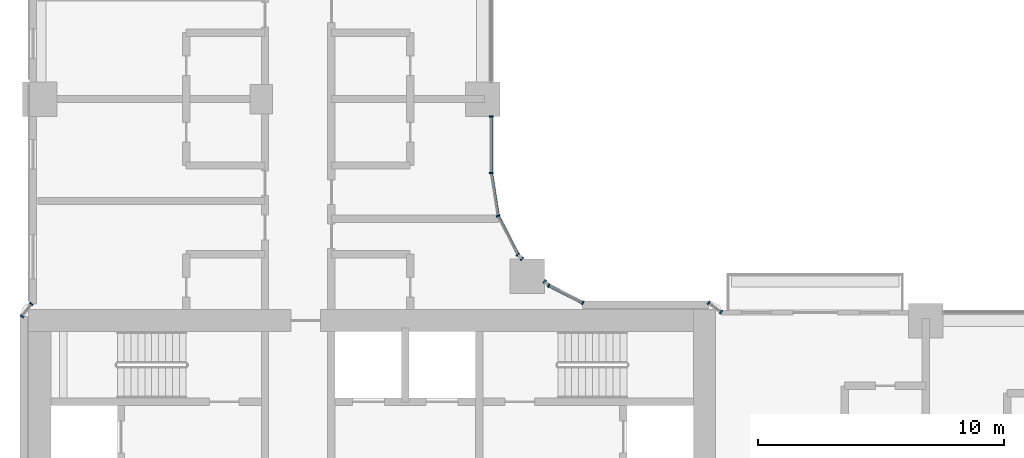
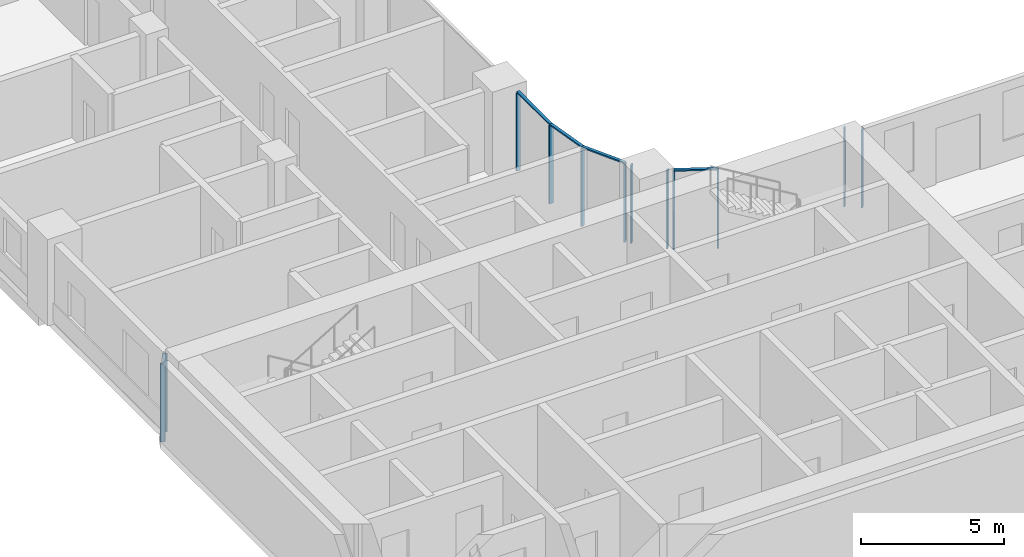
# One storey, part 2 of 30: 16 members, 5 elements without a shape of their own.
"""IFC4 building model written with IfcOpenShell, lengths in metres."""

from ifc_helpers import new_model, si_unit, direction, frame, origin, origin_2d, place, context, subcontext, project, spatial, rectangle, extrude, material, material_profile, profile_set, type_object, element, aggregate, save


model = new_model("IFC4")

# Units and contexts
model_context = context("Model", 3, precision=1e-05, world=origin(), true_north=direction((0.0, 1.0)))
body_context = subcontext(model_context, "Body", "Model", "MODEL_VIEW")
ifc_project = project(units=[si_unit("LENGTHUNIT", "METRE"), si_unit("AREAUNIT", "SQUARE_METRE"), si_unit("VOLUMEUNIT", "CUBIC_METRE"), si_unit("PLANEANGLEUNIT", "RADIAN"), si_unit("MASSUNIT", "GRAM", prefix="KILO")], contexts=[model_context])

# Site, building, storey
site_placement = place(None, origin())
site = spatial("IfcSite", under=ifc_project, at=site_placement, CompositionType="ELEMENT")
building_placement = place(site_placement, origin())
building = spatial("IfcBuilding", under=site, at=building_placement, Name="Ogive Portal Towers", CompositionType="ELEMENT")
storey_placement = place(building_placement, frame((0.0, 0.0, 37.199951171875)))
storey = spatial("IfcBuildingStorey", under=building, at=storey_placement, Name="L07", CompositionType="ELEMENT", Elevation=37.199951171875)

# Curtain wall, members
ifc_material_1 = material(Name="Glass, clear low-iron insulated glazing", Category="glass")
curtain_wall_type = type_object("IfcCurtainWallType", Name="CW FRONT RIBBON 4500", PredefinedType="NOTDEFINED", material=ifc_material_1)
curtain_wall_1_placement = place(storey_placement, origin())
curtain_wall_1 = element("IfcCurtainWall", 1, at=curtain_wall_1_placement, inside=storey, type_object=curtain_wall_type, Name="A:L07:f06:cw0~0", PredefinedType="NOTDEFINED")
ifc_material_2 = material(Name="Aluminium 6063 anodised", Category="aluminium")
ifc_material_profile_1 = material_profile(ifc_material_2, rectangle(XDim=0.159912109375, YDim=0.06005859375, at=origin_2d()), Name="AL 60x160")
ifc_profile_set_1 = profile_set([ifc_material_profile_1], Name="Aluminium 6063 anodised")
member_type_1 = type_object("IfcMemberType", Name="CW MULLION 60x160", PredefinedType="MULLION", material=ifc_profile_set_1)
member_1_placement = place(storey_placement, frame((49.844970703125, 45.49365234375, 0.0), z_axis=(0.0, 0.0, 1.0), x_axis=(-1.0, 0.0, 0.0)))
member_1 = element("IfcMember", 2, at=member_1_placement, type_object=member_type_1, Name="mullion", PredefinedType="MULLION", context=body_context, shape_type="SweptSolid", body=[
    extrude(rectangle(XDim=0.159912109375, YDim=0.06005859375, at=origin_2d()), origin(), (0.0, 0.0, 1.0), 3.340087890625),
])
member_2_placement = place(storey_placement, frame((49.844970703125, 47.800048828125, 0.0), z_axis=(0.0, 0.0, 1.0), x_axis=(-1.0, 0.0, 0.0)))
member_2 = element("IfcMember", 3, at=member_2_placement, type_object=member_type_1, Name="mullion", PredefinedType="MULLION", context=body_context, shape_type="SweptSolid", body=[
    extrude(rectangle(XDim=0.159912109375, YDim=0.06005859375, at=origin_2d()), origin(), (0.0, 0.0, 1.0), 3.340087890625),
])

curtain_wall_2_placement = place(storey_placement, origin())
curtain_wall_2 = element("IfcCurtainWall", 4, at=curtain_wall_2_placement, inside=storey, type_object=curtain_wall_type, Name="A:L07:f00:cwa", PredefinedType="NOTDEFINED")
member_3_placement = place(storey_placement, frame((59.180419921875, 39.844970703125, 0.0), z_axis=(0.0, 0.0, 1.0), x_axis=(-0.594808729844, -0.803867261991, 0.0)))
member_3 = element("IfcMember", 5, at=member_3_placement, type_object=member_type_1, Name="mullion", PredefinedType="MULLION", context=body_context, shape_type="SweptSolid", body=[
    extrude(rectangle(XDim=0.159912109375, YDim=0.06005859375, at=origin_2d()), origin(), (0.0, 0.0, 1.0), 3.340087890625),
])
member_4_placement = place(storey_placement, frame((58.673583984375, 40.219970703125, 0.0), z_axis=(0.0, 0.0, 1.0), x_axis=(-0.594808729844, -0.803867261991, 0.0)))
member_4 = element("IfcMember", 6, at=member_4_placement, type_object=member_type_1, Name="mullion", PredefinedType="MULLION", context=body_context, shape_type="SweptSolid", body=[
    extrude(rectangle(XDim=0.159912109375, YDim=0.06005859375, at=origin_2d()), origin(), (0.0, 0.0, 1.0), 3.340087890625),
])
aggregate(curtain_wall_2, [member_3, member_4])

curtain_wall_3_placement = place(storey_placement, origin())
curtain_wall_3 = element("IfcCurtainWall", 7, at=curtain_wall_3_placement, inside=storey, type_object=curtain_wall_type, Name="A:L07:f02:cwa~0", PredefinedType="NOTDEFINED")
member_5_placement = place(storey_placement, frame((53.5576171875, 40.219970703125, 0.0), z_axis=(0.0, 0.0, 1.0), x_axis=(-0.45399049974, -0.891006524188, 0.0)))
member_5 = element("IfcMember", 8, at=member_5_placement, type_object=member_type_1, Name="mullion", PredefinedType="MULLION", context=body_context, shape_type="SweptSolid", body=[
    extrude(rectangle(XDim=0.159912109375, YDim=0.06005859375, at=origin_2d()), origin(), (0.0, 0.0, 1.0), 3.340087890625),
])
member_6_placement = place(storey_placement, frame((52.175537109375, 40.92431640625, 0.0), z_axis=(0.0, 0.0, 1.0), x_axis=(-0.45399049974, -0.891006524188, 0.0)))
member_6 = element("IfcMember", 9, at=member_6_placement, type_object=member_type_1, Name="mullion", PredefinedType="MULLION", context=body_context, shape_type="SweptSolid", body=[
    extrude(rectangle(XDim=0.159912109375, YDim=0.06005859375, at=origin_2d()), origin(), (0.0, 0.0, 1.0), 3.340087890625),
])
member_7_placement = place(storey_placement, frame((52.010009765625, 41.089599609375, 0.0), z_axis=(0.0, 0.0, 1.0), x_axis=(-0.707106781187, -0.707106781187, 0.0)))
member_7 = element("IfcMember", 10, at=member_7_placement, type_object=member_type_1, Name="mullion", PredefinedType="MULLION", context=body_context, shape_type="SweptSolid", body=[
    extrude(rectangle(XDim=0.159912109375, YDim=0.06005859375, at=origin_2d()), origin(), (0.0, 0.0, 1.0), 3.340087890625),
])

curtain_wall_4_placement = place(storey_placement, origin())
curtain_wall_4 = element("IfcCurtainWall", 11, at=curtain_wall_4_placement, inside=storey, type_object=curtain_wall_type, Name="A:L07:f02:cwa~1", PredefinedType="NOTDEFINED")
member_8_placement = place(storey_placement, frame((51.089599609375, 42.010009765625, 0.0), z_axis=(0.0, 0.0, 1.0), x_axis=(-0.707106781187, -0.707106781187, 0.0)))
member_8 = element("IfcMember", 12, at=member_8_placement, type_object=member_type_1, Name="mullion", PredefinedType="MULLION", context=body_context, shape_type="SweptSolid", body=[
    extrude(rectangle(XDim=0.159912109375, YDim=0.06005859375, at=origin_2d()), origin(), (0.0, 0.0, 1.0), 3.340087890625),
])
member_9_placement = place(storey_placement, frame((50.92431640625, 42.175537109375, 0.0), z_axis=(0.0, 0.0, 1.0), x_axis=(-0.707106781187, -0.707106781187, 0.0)))
member_9 = element("IfcMember", 13, at=member_9_placement, type_object=member_type_1, Name="mullion", PredefinedType="MULLION", context=body_context, shape_type="SweptSolid", body=[
    extrude(rectangle(XDim=0.159912109375, YDim=0.06005859375, at=origin_2d()), origin(), (0.0, 0.0, 1.0), 3.340087890625),
])
member_10_placement = place(storey_placement, frame((50.120849609375, 43.752197265625, 0.0), z_axis=(0.0, 0.0, 1.0), x_axis=(-0.891006524188, -0.45399049974, 0.0)))
member_10 = element("IfcMember", 14, at=member_10_placement, type_object=member_type_1, Name="mullion", PredefinedType="MULLION", context=body_context, shape_type="SweptSolid", body=[
    extrude(rectangle(XDim=0.159912109375, YDim=0.06005859375, at=origin_2d()), origin(), (0.0, 0.0, 1.0), 3.340087890625),
])

curtain_wall_5_placement = place(storey_placement, origin())
curtain_wall_5 = element("IfcCurtainWall", 15, at=curtain_wall_5_placement, inside=storey, type_object=curtain_wall_type, Name="A:L07:f14:cwa", PredefinedType="NOTDEFINED")
member_11_placement = place(storey_placement, frame((31.155029296875, 40.180419921875, 0.0), z_axis=(0.0, 0.0, 1.0), x_axis=(0.803867261991, -0.594808729844, 0.0)))
member_11 = element("IfcMember", 16, at=member_11_placement, type_object=member_type_1, Name="mullion", PredefinedType="MULLION", context=body_context, shape_type="SweptSolid", body=[
    extrude(rectangle(XDim=0.159912109375, YDim=0.06005859375, at=origin_2d()), origin(), (0.0, 0.0, 1.0), 3.340087890625),
])
member_12_placement = place(storey_placement, frame((30.780029296875, 39.673583984375, 0.0), z_axis=(0.0, 0.0, 1.0), x_axis=(0.803867261991, -0.594808729844, 0.0)))
member_12 = element("IfcMember", 17, at=member_12_placement, type_object=member_type_1, Name="mullion", PredefinedType="MULLION", context=body_context, shape_type="SweptSolid", body=[
    extrude(rectangle(XDim=0.159912109375, YDim=0.06005859375, at=origin_2d()), origin(), (0.0, 0.0, 1.0), 3.340087890625),
])
aggregate(curtain_wall_5, [member_11, member_12])

# Member
ifc_material_profile_2 = material_profile(ifc_material_2, rectangle(XDim=0.1201171875, YDim=0.06005859375, at=origin_2d()), Name="AL 120x60")
ifc_profile_set_2 = profile_set([ifc_material_profile_2], Name="Aluminium 6063 anodised")
member_type_2 = type_object("IfcMemberType", Name="CW TRANSOM 60x120", PredefinedType="USERDEFINED", material=ifc_profile_set_2)
member_13_placement = place(storey_placement, frame((49.844970703125, 45.49365234375, 3.3701171875), z_axis=(0.0, 1.0, 0.0), x_axis=(-1.0, 0.0, 0.0)))
member_13 = element("IfcMember", 18, at=member_13_placement, type_object=member_type_2, Name="transom", ObjectType="TRANSOM", PredefinedType="USERDEFINED", context=body_context, shape_type="SweptSolid", body=[
    extrude(rectangle(XDim=0.1201171875, YDim=0.06005859375, at=origin_2d()), origin(), (0.0, 0.0, 1.0), 2.306396484375),
])

aggregate(curtain_wall_1, [member_13, member_1, member_2])

member_14_placement = place(storey_placement, frame((53.5576171875, 40.219970703125, 3.3701171875), z_axis=(-0.89096982311, 0.454062522465, 0.0), x_axis=(-0.454062522465, -0.89096982311, 0.0)))
member_14 = element("IfcMember", 19, at=member_14_placement, type_object=member_type_2, Name="transom", ObjectType="TRANSOM", PredefinedType="USERDEFINED", context=body_context, shape_type="SweptSolid", body=[
    extrude(rectangle(XDim=0.1201171875, YDim=0.06005859375, at=origin_2d()), origin(), (0.0, 0.0, 1.0), 1.55126953125),
])

aggregate(curtain_wall_3, [member_14, member_5, member_6, member_7])

member_15_placement = place(storey_placement, frame((50.92431640625, 42.175537109375, 3.3701171875), z_axis=(-0.454043582135, 0.890979475365, 0.0), x_axis=(-0.890979475365, -0.454043582135, 0.0)))
member_15 = element("IfcMember", 20, at=member_15_placement, type_object=member_type_2, Name="transom", ObjectType="TRANSOM", PredefinedType="USERDEFINED", context=body_context, shape_type="SweptSolid", body=[
    extrude(rectangle(XDim=0.1201171875, YDim=0.06005859375, at=origin_2d()), origin(), (0.0, 0.0, 1.0), 1.76953125),
])

member_16_placement = place(storey_placement, frame((50.120849609375, 43.752197265625, 3.3701171875), z_axis=(-0.156467395285, 0.987683124394, 0.0), x_axis=(-0.987683124394, -0.156467395285, 0.0)))
member_16 = element("IfcMember", 21, at=member_16_placement, type_object=member_type_2, Name="transom", ObjectType="TRANSOM", PredefinedType="USERDEFINED", context=body_context, shape_type="SweptSolid", body=[
    extrude(rectangle(XDim=0.1201171875, YDim=0.06005859375, at=origin_2d()), origin(), (0.0, 0.0, 1.0), 1.76318359375),
])

aggregate(curtain_wall_4, [member_15, member_16, member_8, member_9, member_10])

save(model, "model.ifc")
